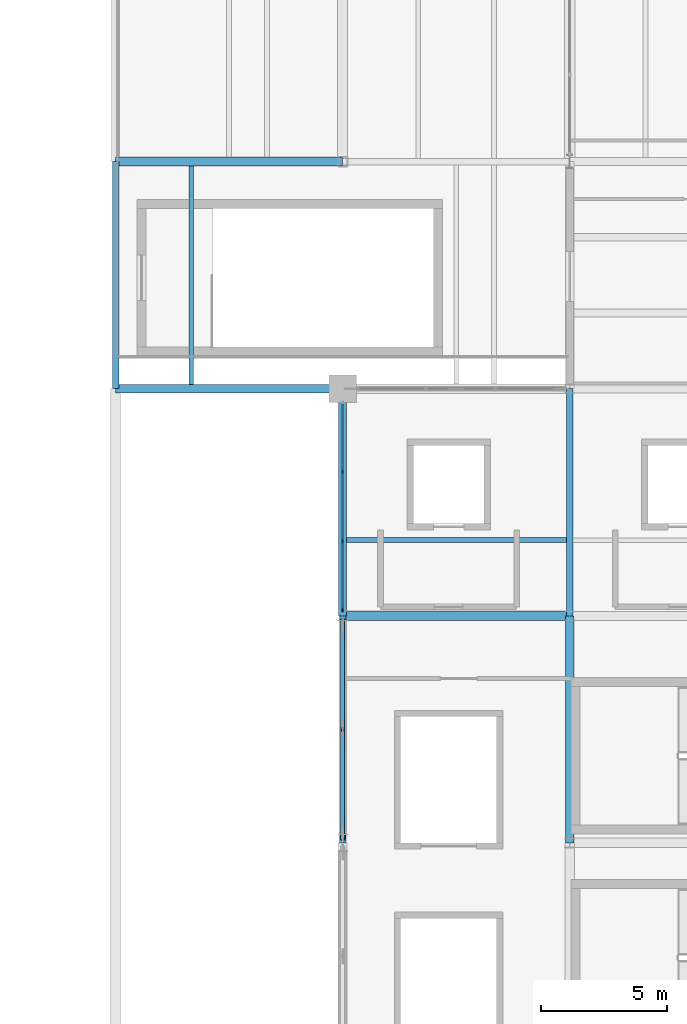
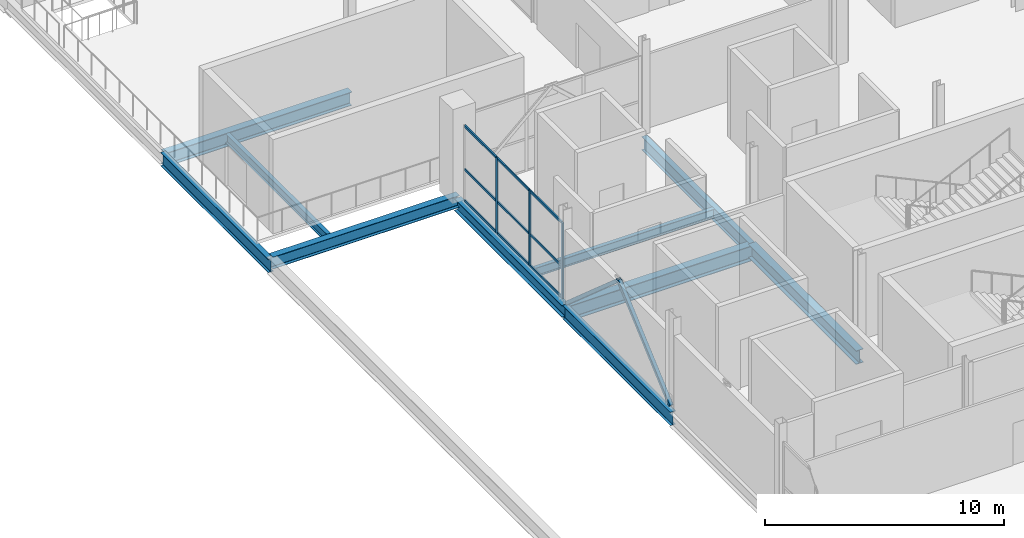
# One storey, part 18 of 50: 14 members, 10 beams, 1 element without a shape of its own.
"""IFC4 building model written with IfcOpenShell, lengths in metres."""

from ifc_helpers import new_model, si_unit, direction, frame, origin, origin_2d, place, context, subcontext, project, spatial, rectangle, hollow_rectangle, i_section, extrude, material, layer, layer_set, material_profile, profile_set, type_object, element, aggregate, save


model = new_model("IFC4")

# Units and contexts
model_context = context("Model", 3, precision=1e-05, world=origin(), true_north=direction((0.0, 1.0)))
body_context = subcontext(model_context, "Body", "Model", "MODEL_VIEW")
ifc_project = project(units=[si_unit("LENGTHUNIT", "METRE"), si_unit("AREAUNIT", "SQUARE_METRE"), si_unit("VOLUMEUNIT", "CUBIC_METRE"), si_unit("PLANEANGLEUNIT", "RADIAN"), si_unit("MASSUNIT", "GRAM", prefix="KILO")], contexts=[model_context])

# Site, building, storey
site_placement = place(None, origin())
site = spatial("IfcSite", under=ifc_project, at=site_placement, CompositionType="ELEMENT")
building_placement = place(site_placement, origin())
building = spatial("IfcBuilding", under=site, at=building_placement, Name="Qamarlyn Nura Convention Centre", CompositionType="ELEMENT")
storey_placement = place(building_placement, frame((0.0, 0.0, 20.39990234375)))
storey = spatial("IfcBuildingStorey", under=building, at=storey_placement, Name="L04", CompositionType="ELEMENT", Elevation=20.39990234375)

# Beams
ifc_material_1 = material(Name="Steel ASTM A992", Category="steel")
ifc_material_profile_1 = material_profile(ifc_material_1, i_section(OverallWidth=0.323974609375, OverallDepth=0.611083984375, WebThickness=0.0126953125, FlangeThickness=0.01904296875, FilletRadius=0.01611328125, at=origin_2d()), Name="W610X155")
ifc_profile_set_1 = profile_set([ifc_material_profile_1], Name="Steel ASTM A992")
beam_type_1 = type_object("IfcBeamType", Name="BM-GIRD-610", PredefinedType="BEAM", material=ifc_profile_set_1)
for number, where, z_axis, x_axis, name in (
    (1, (144.0, 81.0, -0.305419921875), (1.0, 0.0, 0.0), (0.0, 1.0, 0.0), "L04 girder K 12-13"),
    (2, (153.0, 72.0, -0.50537109375), (0.0, 1.0, 0.0), (-1.0, 0.0, 0.0), "L04 girder 13 J-K"),
):
    element("IfcBeam", number, at=place(storey_placement, frame(where, z_axis=z_axis, x_axis=x_axis)), inside=storey, type_object=beam_type_1, Name=name, PredefinedType="BEAM", context=body_context, shape_type="SweptSolid", body=[
        extrude(i_section(OverallWidth=0.323974609375, OverallDepth=0.611083984375, WebThickness=0.0126953125, FlangeThickness=0.01904296875, FilletRadius=0.01611328125, at=origin_2d()), origin(), (0.0, 0.0, 1.0), 9.0),
    ])
ifc_material_profile_2 = material_profile(ifc_material_1, i_section(OverallWidth=0.35498046875, OverallDepth=0.695068359375, WebThickness=0.015380859375, FlangeThickness=0.02490234375, FilletRadius=0.01806640625, at=origin_2d()), Name="W690X217")
ifc_profile_set_2 = profile_set([ifc_material_profile_2], Name="Steel ASTM A992")
beam_type_2 = type_object("IfcBeamType", Name="BM-GIRD-690A", PredefinedType="BEAM", material=ifc_profile_set_2)
for number, where, z_axis, x_axis, name in (
    (3, (144.0, 90.0, -0.512451171875), (1.0, 0.0, 0.0), (0.0, 1.0, 0.0), "L04 girder L 12-13"),
    (4, (162.0, 63.0, -0.54736328125), (0.0, 1.0, 0.0), (-1.0, 0.0, 0.0), "L04 girder 14 H-J"),
):
    element("IfcBeam", number, at=place(storey_placement, frame(where, z_axis=z_axis, x_axis=x_axis)), inside=storey, type_object=beam_type_2, Name=name, PredefinedType="BEAM", context=body_context, shape_type="SweptSolid", body=[
        extrude(i_section(OverallWidth=0.35498046875, OverallDepth=0.695068359375, WebThickness=0.015380859375, FlangeThickness=0.02490234375, FilletRadius=0.01806640625, at=origin_2d()), origin(), (0.0, 0.0, 1.0), 9.0),
    ])
ifc_material_profile_3 = material_profile(ifc_material_1, i_section(OverallWidth=0.25390625, OverallDepth=0.68408203125, WebThickness=0.012451171875, FlangeThickness=0.01904296875, FilletRadius=0.01806640625, at=origin_2d()), Name="W690X140")
ifc_profile_set_3 = profile_set([ifc_material_profile_3], Name="Steel ASTM A992")
beam_type_3 = type_object("IfcBeamType", Name="BM-GIRD-690B", PredefinedType="BEAM", material=ifc_profile_set_3)
for number, where, z_axis, x_axis, name in (
    (5, (144.0, 81.0, -0.5068359375), (0.0, 1.0, 0.0), (-1.0, 0.0, 0.0), "L04 girder 12 K-L"),
    (6, (153.0, 63.0, -0.5419921875), (0.0, 1.0, 0.0), (-1.0, 0.0, 0.0), "L04 girder 13 H-J"),
    (7, (162.0, 72.0, -0.5419921875), (0.0, 1.0, 0.0), (-1.0, 0.0, 0.0), "L04 girder 14 J-K"),
):
    element("IfcBeam", number, at=place(storey_placement, frame(where, z_axis=z_axis, x_axis=x_axis)), inside=storey, type_object=beam_type_3, Name=name, PredefinedType="BEAM", context=body_context, shape_type="SweptSolid", body=[
        extrude(i_section(OverallWidth=0.25390625, OverallDepth=0.68408203125, WebThickness=0.012451171875, FlangeThickness=0.01904296875, FilletRadius=0.01806640625, at=origin_2d()), origin(), (0.0, 0.0, 1.0), 9.0),
    ])
ifc_material_profile_4 = material_profile(ifc_material_1, i_section(OverallWidth=0.381103515625, OverallDepth=0.77294921875, WebThickness=0.0166015625, FlangeThickness=0.027587890625, FilletRadius=0.02001953125, at=origin_2d()), Name="W760X257")
ifc_profile_set_4 = profile_set([ifc_material_profile_4], Name="Steel ASTM A992")
beam_type_4 = type_object("IfcBeamType", Name="BM-GIRD-760", PredefinedType="BEAM", material=ifc_profile_set_4)
beam_1_placement = place(storey_placement, frame((153.0, 72.0, -0.58642578125), z_axis=(1.0, 0.0, 0.0), x_axis=(0.0, 1.0, 0.0)))
element("IfcBeam", 8, at=beam_1_placement, inside=storey, type_object=beam_type_4, Name="L04 girder J 13-14", PredefinedType="BEAM", context=body_context, shape_type="SweptSolid", body=[
    extrude(i_section(OverallWidth=0.381103515625, OverallDepth=0.77294921875, WebThickness=0.0166015625, FlangeThickness=0.027587890625, FilletRadius=0.02001953125, at=origin_2d()), origin(), (0.0, 0.0, 1.0), 9.0),
])
ifc_material_profile_5 = material_profile(ifc_material_1, i_section(OverallWidth=0.18994140625, OverallDepth=0.45703125, WebThickness=0.009033203125, FlangeThickness=0.014404296875, FilletRadius=0.012939453125, at=origin_2d()), Name="W460X74")
ifc_profile_set_5 = profile_set([ifc_material_profile_5], Name="Steel ASTM A992")
beam_type_5 = type_object("IfcBeamType", Name="BM-JOIST-460", PredefinedType="JOIST", material=ifc_profile_set_5)
beam_2_placement = place(storey_placement, frame((153.162109375, 75.0, -0.428466796875), z_axis=(1.0, 0.0, 0.0), x_axis=(0.0, 1.0, 0.0)))
element("IfcBeam", 9, at=beam_2_placement, inside=storey, type_object=beam_type_5, Name="L04 composite joist 13-14/J+1", PredefinedType="JOIST", context=body_context, shape_type="SweptSolid", body=[
    extrude(i_section(OverallWidth=0.18994140625, OverallDepth=0.45703125, WebThickness=0.009033203125, FlangeThickness=0.014404296875, FilletRadius=0.012939453125, at=origin_2d()), origin(), (0.0, 0.0, 1.0), 8.7109375),
])
beam_3_placement = place(storey_placement, frame((147.0, 81.162109375, -0.393310546875), z_axis=(0.0, 1.0, 0.0), x_axis=(-1.0, 0.0, 0.0)))
element("IfcBeam", 10, at=beam_3_placement, inside=storey, type_object=beam_type_5, Name="L04 secondary joist 12-13/K-L-01", PredefinedType="JOIST", context=body_context, shape_type="SweptSolid", body=[
    extrude(i_section(OverallWidth=0.18994140625, OverallDepth=0.45703125, WebThickness=0.009033203125, FlangeThickness=0.014404296875, FilletRadius=0.012939453125, at=origin_2d()), origin(), (0.0, 0.0, 1.0), 8.660400390625),
])

# Members
ifc_material_2 = material(Name="Steel ASTM A500 Grade C", Category="steel")
ifc_material_profile_6 = material_profile(ifc_material_2, hollow_rectangle(XDim=0.179931640625, YDim=0.179931640625, WallThickness=0.008056640625, InnerFilletRadius=0.008056640625, OuterFilletRadius=0.01611328125, at=origin_2d()), Name="HSS180X180X8")
ifc_profile_set_6 = profile_set([ifc_material_profile_6], Name="Steel ASTM A500 Grade C")
member_type_1 = type_object("IfcMemberType", Name="CBF-BRC-180", PredefinedType="BRACE", material=ifc_profile_set_6)
for number, where, z_axis, x_axis, name in (
    (11, (153.0, 63.179931640625, 0.0), (0.0, 0.751968266083, 0.659199307345), (-1.0, 0.0, 0.0), "L04 SCBF chevron brace CBF-E2L"),
    (12, (153.0, 71.820068359375, 0.0), (0.0, -0.751968266083, 0.659199307345), (1.0, 0.0, 0.0), "L04 SCBF chevron brace CBF-E2R"),
):
    element("IfcMember", number, at=place(storey_placement, frame(where, z_axis=z_axis, x_axis=x_axis)), inside=storey, type_object=member_type_1, Name=name, PredefinedType="BRACE", context=body_context, shape_type="SweptSolid", body=[
        extrude(hollow_rectangle(XDim=0.179931640625, YDim=0.179931640625, WallThickness=0.008056640625, InnerFilletRadius=0.008056640625, OuterFilletRadius=0.01611328125, at=origin_2d()), origin(), (0.0, 0.0, 1.0), 5.7451171875),
    ])

# Curtain wall, members
ifc_material_3 = material(Name="Double-silver low-E insulated glass", Category="glass")
ifc_layer = layer(ifc_material_3, 0.179931640625, Name="CW-UNIT-145")
ifc_layer_set = layer_set([ifc_layer], Name="Double-silver low-E insulated glass")
curtain_wall_type = type_object("IfcCurtainWallType", Name="CW-UNIT-145", PredefinedType="NOTDEFINED", material=ifc_layer_set)
curtain_wall_placement = place(storey_placement, origin())
curtain_wall = element("IfcCurtainWall", 13, at=curtain_wall_placement, inside=storey, type_object=curtain_wall_type, Name="L04 unitised curtain wall FF3W-72-1", PredefinedType="NOTDEFINED")
ifc_material_4 = material(Name="Champagne-anodised marine aluminium", Category="aluminium")
ifc_material_profile_7 = material_profile(ifc_material_4, rectangle(XDim=0.06494140625, YDim=0.159912109375, at=origin_2d()), Name="ALU MULLION 65x160")
ifc_profile_set_7 = profile_set([ifc_material_profile_7], Name="Champagne-anodised marine aluminium")
member_type_2 = type_object("IfcMemberType", Name="CWM-160", PredefinedType="MULLION", material=ifc_profile_set_7)
member_1_placement = place(storey_placement, frame((153.0, 72.2451171875, 0.0), z_axis=(0.0, 0.0, 1.0), x_axis=(-1.0, 0.0, 0.0)))
member_1 = element("IfcMember", 14, at=member_1_placement, type_object=member_type_2, Name="CW145 mullion 1", PredefinedType="MULLION", context=body_context, shape_type="SweptSolid", body=[
    extrude(rectangle(XDim=0.06494140625, YDim=0.159912109375, at=origin_2d()), origin(), (0.0, 0.0, 1.0), 3.85009765625),
])
member_2_placement = place(storey_placement, frame((153.0, 74.958251953125, 0.0), z_axis=(0.0, 0.0, 1.0), x_axis=(-1.0, 0.0, 0.0)))
member_2 = element("IfcMember", 15, at=member_2_placement, type_object=member_type_2, Name="CW145 mullion 2", PredefinedType="MULLION", context=body_context, shape_type="SweptSolid", body=[
    extrude(rectangle(XDim=0.06494140625, YDim=0.159912109375, at=origin_2d()), origin(), (0.0, 0.0, 1.0), 3.85009765625),
])
member_3_placement = place(storey_placement, frame((153.0, 77.7041015625, 0.0), z_axis=(0.0, 0.0, 1.0), x_axis=(-1.0, 0.0, 0.0)))
member_3 = element("IfcMember", 16, at=member_3_placement, type_object=member_type_2, Name="CW145 mullion 3", PredefinedType="MULLION", context=body_context, shape_type="SweptSolid", body=[
    extrude(rectangle(XDim=0.06494140625, YDim=0.159912109375, at=origin_2d()), origin(), (0.0, 0.0, 1.0), 3.85009765625),
])
ifc_material_profile_8 = material_profile(ifc_material_4, rectangle(XDim=0.06494140625, YDim=0.1201171875, at=origin_2d()), Name="ALU TRANSOM 65x120")
ifc_profile_set_8 = profile_set([ifc_material_profile_8], Name="Champagne-anodised marine aluminium")
member_type_3 = type_object("IfcMemberType", Name="CWT-120", PredefinedType="USERDEFINED", material=ifc_profile_set_8)
member_4_placement = place(storey_placement, frame((153.0, 72.277587890625, 0.03271484375), z_axis=(0.0, 1.0, 0.0), x_axis=(-1.0, 0.0, 0.0)))
member_4 = element("IfcMember", 17, at=member_4_placement, type_object=member_type_3, Name="CW145 transom 1.1", ObjectType="TRANSOM", PredefinedType="USERDEFINED", context=body_context, shape_type="SweptSolid", body=[
    extrude(rectangle(XDim=0.06494140625, YDim=0.1201171875, at=origin_2d()), origin(), (0.0, 0.0, 1.0), 2.648193359375),
])
member_5_placement = place(storey_placement, frame((153.0, 72.277587890625, 1.6171875), z_axis=(0.0, 1.0, 0.0), x_axis=(-1.0, 0.0, 0.0)))
member_5 = element("IfcMember", 18, at=member_5_placement, type_object=member_type_3, Name="CW145 transom 1.2", ObjectType="TRANSOM", PredefinedType="USERDEFINED", context=body_context, shape_type="SweptSolid", body=[
    extrude(rectangle(XDim=0.06494140625, YDim=0.1201171875, at=origin_2d()), origin(), (0.0, 0.0, 1.0), 2.648193359375),
])
member_6_placement = place(storey_placement, frame((153.0, 72.277587890625, 3.817626953125), z_axis=(0.0, 1.0, 0.0), x_axis=(-1.0, 0.0, 0.0)))
member_6 = element("IfcMember", 19, at=member_6_placement, type_object=member_type_3, Name="CW145 transom 1.3", ObjectType="TRANSOM", PredefinedType="USERDEFINED", context=body_context, shape_type="SweptSolid", body=[
    extrude(rectangle(XDim=0.06494140625, YDim=0.1201171875, at=origin_2d()), origin(), (0.0, 0.0, 1.0), 2.648193359375),
])
member_7_placement = place(storey_placement, frame((153.0, 74.99072265625, 0.03271484375), z_axis=(0.0, 1.0, 0.0), x_axis=(-1.0, 0.0, 0.0)))
member_7 = element("IfcMember", 20, at=member_7_placement, type_object=member_type_3, Name="CW145 transom 2.1", ObjectType="TRANSOM", PredefinedType="USERDEFINED", context=body_context, shape_type="SweptSolid", body=[
    extrude(rectangle(XDim=0.06494140625, YDim=0.1201171875, at=origin_2d()), origin(), (0.0, 0.0, 1.0), 2.680908203125),
])
member_8_placement = place(storey_placement, frame((153.0, 74.99072265625, 1.6171875), z_axis=(0.0, 1.0, 0.0), x_axis=(-1.0, 0.0, 0.0)))
member_8 = element("IfcMember", 21, at=member_8_placement, type_object=member_type_3, Name="CW145 transom 2.2", ObjectType="TRANSOM", PredefinedType="USERDEFINED", context=body_context, shape_type="SweptSolid", body=[
    extrude(rectangle(XDim=0.06494140625, YDim=0.1201171875, at=origin_2d()), origin(), (0.0, 0.0, 1.0), 2.680908203125),
])
member_9_placement = place(storey_placement, frame((153.0, 74.99072265625, 3.817626953125), z_axis=(0.0, 1.0, 0.0), x_axis=(-1.0, 0.0, 0.0)))
member_9 = element("IfcMember", 22, at=member_9_placement, type_object=member_type_3, Name="CW145 transom 2.3", ObjectType="TRANSOM", PredefinedType="USERDEFINED", context=body_context, shape_type="SweptSolid", body=[
    extrude(rectangle(XDim=0.06494140625, YDim=0.1201171875, at=origin_2d()), origin(), (0.0, 0.0, 1.0), 2.680908203125),
])
member_10_placement = place(storey_placement, frame((153.0, 77.736572265625, 0.03271484375), z_axis=(0.0, 1.0, 0.0), x_axis=(-1.0, 0.0, 0.0)))
member_10 = element("IfcMember", 23, at=member_10_placement, type_object=member_type_3, Name="CW145 transom 3.1", ObjectType="TRANSOM", PredefinedType="USERDEFINED", context=body_context, shape_type="SweptSolid", body=[
    extrude(rectangle(XDim=0.06494140625, YDim=0.1201171875, at=origin_2d()), origin(), (0.0, 0.0, 1.0), 2.6484375),
])
member_11_placement = place(storey_placement, frame((153.0, 77.736572265625, 1.6171875), z_axis=(0.0, 1.0, 0.0), x_axis=(-1.0, 0.0, 0.0)))
member_11 = element("IfcMember", 24, at=member_11_placement, type_object=member_type_3, Name="CW145 transom 3.2", ObjectType="TRANSOM", PredefinedType="USERDEFINED", context=body_context, shape_type="SweptSolid", body=[
    extrude(rectangle(XDim=0.06494140625, YDim=0.1201171875, at=origin_2d()), origin(), (0.0, 0.0, 1.0), 2.6484375),
])
member_12_placement = place(storey_placement, frame((153.0, 77.736572265625, 3.817626953125), z_axis=(0.0, 1.0, 0.0), x_axis=(-1.0, 0.0, 0.0)))
member_12 = element("IfcMember", 25, at=member_12_placement, type_object=member_type_3, Name="CW145 transom 3.3", ObjectType="TRANSOM", PredefinedType="USERDEFINED", context=body_context, shape_type="SweptSolid", body=[
    extrude(rectangle(XDim=0.06494140625, YDim=0.1201171875, at=origin_2d()), origin(), (0.0, 0.0, 1.0), 2.6484375),
])
aggregate(curtain_wall, [member_1, member_2, member_3, member_4, member_5, member_6, member_7, member_8, member_9, member_10, member_11, member_12])

save(model, "model.ifc")
